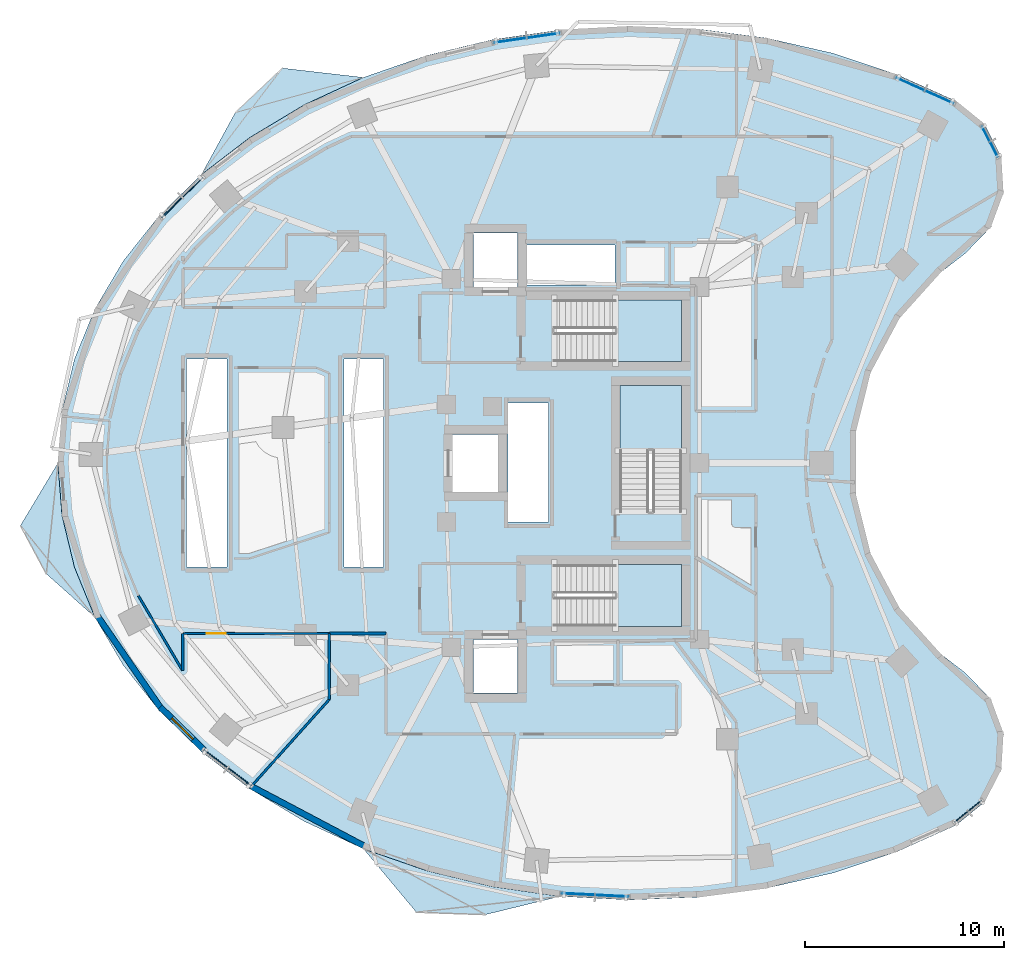
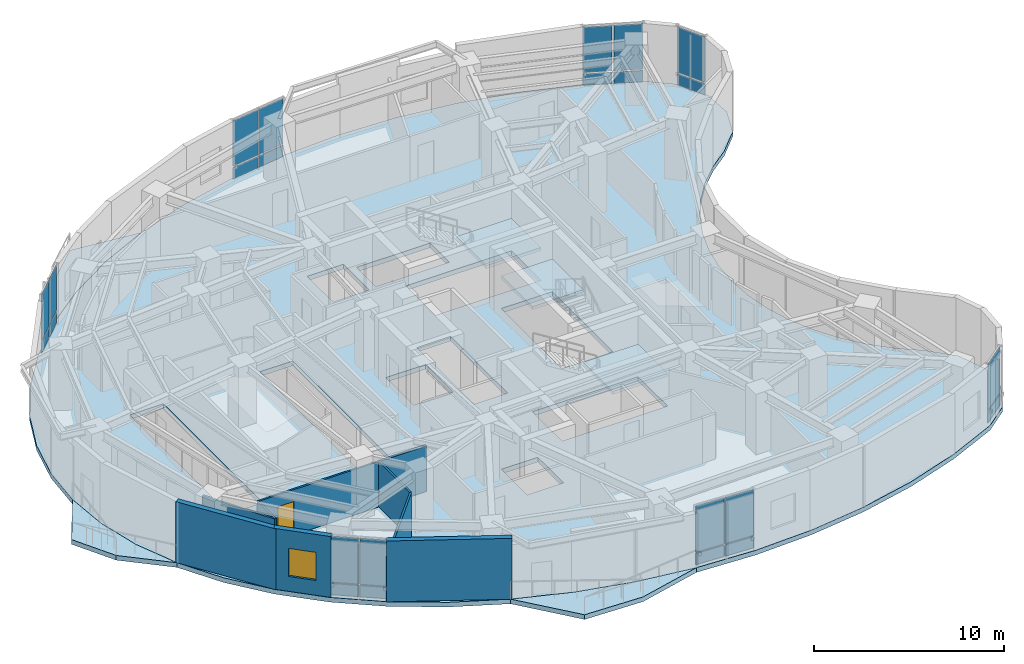
# One storey, part 6 of 14: 24 plates, 9 walls, 7 slabs, 1 door, 1 window, 2 openings, 10 elements without a shape of their own.
"""IFC4 building model written with IfcOpenShell, lengths in metres."""

from ifc_helpers import new_model, si_unit, direction, frame, frame_2d, origin, origin_2d, place, context, subcontext, project, spatial, polyline, rectangle, outline, extrude, material, layer, layer_set, type_object, element, fill, aggregate, save


model = new_model("IFC4")

# Units and contexts
model_context = context("Model", 3, precision=1e-05, world=origin(), true_north=direction((0.0, 1.0)))
body_context = subcontext(model_context, "Body", "Model", "MODEL_VIEW")
ifc_project = project(units=[si_unit("LENGTHUNIT", "METRE"), si_unit("AREAUNIT", "SQUARE_METRE"), si_unit("VOLUMEUNIT", "CUBIC_METRE"), si_unit("PLANEANGLEUNIT", "RADIAN"), si_unit("MASSUNIT", "GRAM", prefix="KILO")], contexts=[model_context])

# Site, building, storey
site_placement = place(None, origin())
site = spatial("IfcSite", under=ifc_project, at=site_placement, CompositionType="ELEMENT")
building_placement = place(site_placement, origin())
building = spatial("IfcBuilding", under=site, at=building_placement, Name="Korentha Bioscience Tower", CompositionType="ELEMENT")
storey_placement = place(building_placement, frame((0.0, 0.0, 90.0)))
storey = spatial("IfcBuildingStorey", under=building, at=storey_placement, Name="L20", CompositionType="ELEMENT", Elevation=90.0)

# Curtain wall, plates
ifc_material_1 = material(Name="Thermally Broken Aluminium Frame", Category="aluminium")
ifc_layer_1 = layer(ifc_material_1, 0.219970703125, Name="Thermally Broken Aluminium Frame")
ifc_layer_set_1 = layer_set([ifc_layer_1], Name="Thermally Broken Aluminium Frame (CW-T2)")
curtain_wall_type = type_object("IfcCurtainWallType", Name="Solar-Screened Lab Unitised Curtain Wall CW-T2", PredefinedType="USERDEFINED", material=ifc_layer_set_1)
curtain_wall_1_placement = place(storey_placement, origin())
curtain_wall_1 = element("IfcCurtainWall", 1, at=curtain_wall_1_placement, inside=storey, type_object=curtain_wall_type, Name="L20 Curtain Wall 01", ObjectType="UNITISED", PredefinedType="USERDEFINED")
ifc_material_2 = material(Name="Triple-Glazed Low-E Insulated Glass", Category="glass")
ifc_layer_2 = layer(ifc_material_2, 0.0439453125, Name="Triple-Glazed Low-E Insulated Glass")
ifc_layer_set_2 = layer_set([ifc_layer_2], Name="Triple-Glazed Low-E Insulated Glass (GL-44)")
plate_type = type_object("IfcPlateType", Name="Glazed Panel 44mm", PredefinedType="CURTAIN_PANEL", material=ifc_layer_set_2)
plate_1_placement = place(storey_placement, frame((49.61767578125, 45.385986328125, 0.08984375), z_axis=(0.0, 0.0, 1.0), x_axis=(-0.912686563127, 0.408660295952, 0.0)))
plate_1 = element("IfcPlate", 2, at=plate_1_placement, type_object=plate_type, Name="CW-L20-01 Bay 1 Glazed Panel 1", PredefinedType="CURTAIN_PANEL", context=body_context, shape_type="SweptSolid", body=[
    extrude(rectangle(XDim=1.54541015625, YDim=0.0439453125, at=origin_2d()), origin(), (0.0, 0.0, 1.0), 0.715087890625),
])
plate_2_placement = place(storey_placement, frame((49.61767578125, 45.385986328125, 0.89501953125), z_axis=(0.0, 0.0, 1.0), x_axis=(-0.912686563127, 0.408660295952, 0.0)))
plate_2 = element("IfcPlate", 3, at=plate_2_placement, type_object=plate_type, Name="CW-L20-01 Bay 1 Glazed Panel 2", PredefinedType="CURTAIN_PANEL", context=body_context, shape_type="SweptSolid", body=[
    extrude(rectangle(XDim=1.54541015625, YDim=0.0439453125, at=origin_2d()), origin(), (0.0, 0.0, 1.0), 2.9150390625),
])
plate_3_placement = place(storey_placement, frame((48.125, 46.05419921875, 0.08984375), z_axis=(0.0, 0.0, 1.0), x_axis=(-0.912686563127, 0.408660295952, 0.0)))
plate_3 = element("IfcPlate", 4, at=plate_3_placement, type_object=plate_type, Name="CW-L20-01 Bay 2 Glazed Panel 1", PredefinedType="CURTAIN_PANEL", context=body_context, shape_type="SweptSolid", body=[
    extrude(rectangle(XDim=1.54541015625, YDim=0.0439453125, at=origin_2d()), origin(), (0.0, 0.0, 1.0), 0.715087890625),
])
plate_4_placement = place(storey_placement, frame((48.125, 46.05419921875, 0.89501953125), z_axis=(0.0, 0.0, 1.0), x_axis=(-0.912686563127, 0.408660295952, 0.0)))
plate_4 = element("IfcPlate", 5, at=plate_4_placement, type_object=plate_type, Name="CW-L20-01 Bay 2 Glazed Panel 2", PredefinedType="CURTAIN_PANEL", context=body_context, shape_type="SweptSolid", body=[
    extrude(rectangle(XDim=1.54541015625, YDim=0.0439453125, at=origin_2d()), origin(), (0.0, 0.0, 1.0), 2.9150390625),
])
aggregate(curtain_wall_1, [plate_1, plate_2, plate_3, plate_4])

curtain_wall_2_placement = place(storey_placement, origin())
curtain_wall_2 = element("IfcCurtainWall", 6, at=curtain_wall_2_placement, inside=storey, type_object=curtain_wall_type, Name="L20 Curtain Wall 07", ObjectType="UNITISED", PredefinedType="USERDEFINED")
plate_5_placement = place(storey_placement, frame((29.724853515625, 48.486328125, 0.08984375), z_axis=(0.0, 0.0, 1.0), x_axis=(-0.989738282326, -0.14289203091, 0.0)))
plate_5 = element("IfcPlate", 7, at=plate_5_placement, type_object=plate_type, Name="CW-L20-07 Bay 1 Glazed Panel 1", PredefinedType="CURTAIN_PANEL", context=body_context, shape_type="SweptSolid", body=[
    extrude(rectangle(XDim=1.630615234375, YDim=0.0439453125, at=origin_2d()), origin(), (0.0, 0.0, 1.0), 0.715087890625),
])
plate_6_placement = place(storey_placement, frame((29.724853515625, 48.486328125, 0.89501953125), z_axis=(0.0, 0.0, 1.0), x_axis=(-0.989738282326, -0.14289203091, 0.0)))
plate_6 = element("IfcPlate", 8, at=plate_6_placement, type_object=plate_type, Name="CW-L20-07 Bay 1 Glazed Panel 2", PredefinedType="CURTAIN_PANEL", context=body_context, shape_type="SweptSolid", body=[
    extrude(rectangle(XDim=1.630615234375, YDim=0.0439453125, at=origin_2d()), origin(), (0.0, 0.0, 1.0), 2.9150390625),
])
plate_7_placement = place(storey_placement, frame((28.021728515625, 48.240478515625, 0.08984375), z_axis=(0.0, 0.0, 1.0), x_axis=(-0.989738282326, -0.14289203091, 0.0)))
plate_7 = element("IfcPlate", 9, at=plate_7_placement, type_object=plate_type, Name="CW-L20-07 Bay 2 Glazed Panel 1", PredefinedType="CURTAIN_PANEL", context=body_context, shape_type="SweptSolid", body=[
    extrude(rectangle(XDim=1.630615234375, YDim=0.0439453125, at=origin_2d()), origin(), (0.0, 0.0, 1.0), 0.715087890625),
])
plate_8_placement = place(storey_placement, frame((28.021728515625, 48.240478515625, 0.89501953125), z_axis=(0.0, 0.0, 1.0), x_axis=(-0.989738282326, -0.14289203091, 0.0)))
plate_8 = element("IfcPlate", 10, at=plate_8_placement, type_object=plate_type, Name="CW-L20-07 Bay 2 Glazed Panel 2", PredefinedType="CURTAIN_PANEL", context=body_context, shape_type="SweptSolid", body=[
    extrude(rectangle(XDim=1.630615234375, YDim=0.0439453125, at=origin_2d()), origin(), (0.0, 0.0, 1.0), 2.9150390625),
])
aggregate(curtain_wall_2, [plate_5, plate_6, plate_7, plate_8])

curtain_wall_3_placement = place(storey_placement, origin())
curtain_wall_3 = element("IfcCurtainWall", 11, at=curtain_wall_3_placement, inside=storey, type_object=curtain_wall_type, Name="L20 Curtain Wall 13", ObjectType="UNITISED", PredefinedType="USERDEFINED")
plate_9_placement = place(storey_placement, frame((12.09912109375, 40.858642578125, 0.08984375), z_axis=(0.0, 0.0, 1.0), x_axis=(-0.716095631804, -0.698002182025, 0.0)))
plate_9 = element("IfcPlate", 12, at=plate_9_placement, type_object=plate_type, Name="CW-L20-13 Bay 1 Glazed Panel 1", PredefinedType="CURTAIN_PANEL", context=body_context, shape_type="SweptSolid", body=[
    extrude(rectangle(XDim=1.39599609375, YDim=0.0439453125, at=origin_2d()), origin(), (0.0, 0.0, 1.0), 0.715087890625),
])
plate_10_placement = place(storey_placement, frame((12.09912109375, 40.858642578125, 0.89501953125), z_axis=(0.0, 0.0, 1.0), x_axis=(-0.716095631804, -0.698002182025, 0.0)))
plate_10 = element("IfcPlate", 13, at=plate_10_placement, type_object=plate_type, Name="CW-L20-13 Bay 1 Glazed Panel 2", PredefinedType="CURTAIN_PANEL", context=body_context, shape_type="SweptSolid", body=[
    extrude(rectangle(XDim=1.39599609375, YDim=0.0439453125, at=origin_2d()), origin(), (0.0, 0.0, 1.0), 2.9150390625),
])
plate_11_placement = place(storey_placement, frame((11.034912109375, 39.8212890625, 0.08984375), z_axis=(0.0, 0.0, 1.0), x_axis=(-0.716095631804, -0.698002182025, 0.0)))
plate_11 = element("IfcPlate", 14, at=plate_11_placement, type_object=plate_type, Name="CW-L20-13 Bay 2 Glazed Panel 1", PredefinedType="CURTAIN_PANEL", context=body_context, shape_type="SweptSolid", body=[
    extrude(rectangle(XDim=1.39599609375, YDim=0.0439453125, at=origin_2d()), origin(), (0.0, 0.0, 1.0), 0.715087890625),
])
plate_12_placement = place(storey_placement, frame((11.034912109375, 39.8212890625, 0.89501953125), z_axis=(0.0, 0.0, 1.0), x_axis=(-0.716095631804, -0.698002182025, 0.0)))
plate_12 = element("IfcPlate", 15, at=plate_12_placement, type_object=plate_type, Name="CW-L20-13 Bay 2 Glazed Panel 2", PredefinedType="CURTAIN_PANEL", context=body_context, shape_type="SweptSolid", body=[
    extrude(rectangle(XDim=1.39599609375, YDim=0.0439453125, at=origin_2d()), origin(), (0.0, 0.0, 1.0), 2.9150390625),
])
aggregate(curtain_wall_3, [plate_9, plate_10, plate_11, plate_12])

curtain_wall_4_placement = place(storey_placement, origin())
curtain_wall_4 = element("IfcCurtainWall", 16, at=curtain_wall_4_placement, inside=storey, type_object=curtain_wall_type, Name="L20 Curtain Wall 25", ObjectType="UNITISED", PredefinedType="USERDEFINED")
plate_13_placement = place(storey_placement, frame((13.234619140625, 12.162353515625, 0.08984375), z_axis=(0.0, 0.0, 1.0), x_axis=(0.794499603893, -0.607264669986, 0.0)))
plate_13 = element("IfcPlate", 17, at=plate_13_placement, type_object=plate_type, Name="CW-L20-25 Bay 1 Glazed Panel 1", PredefinedType="CURTAIN_PANEL", context=body_context, shape_type="SweptSolid", body=[
    extrude(rectangle(XDim=1.4462890625, YDim=0.0439453125, at=origin_2d()), origin(), (0.0, 0.0, 1.0), 0.715087890625),
])
plate_14_placement = place(storey_placement, frame((13.234619140625, 12.162353515625, 0.89501953125), z_axis=(0.0, 0.0, 1.0), x_axis=(0.794499603893, -0.607264669986, 0.0)))
plate_14 = element("IfcPlate", 18, at=plate_14_placement, type_object=plate_type, Name="CW-L20-25 Bay 1 Glazed Panel 2", PredefinedType="CURTAIN_PANEL", context=body_context, shape_type="SweptSolid", body=[
    extrude(rectangle(XDim=1.4462890625, YDim=0.0439453125, at=origin_2d()), origin(), (0.0, 0.0, 1.0), 2.9150390625),
])
plate_15_placement = place(storey_placement, frame((14.455078125, 11.229248046875, 0.08984375), z_axis=(0.0, 0.0, 1.0), x_axis=(0.794499603893, -0.607264669986, 0.0)))
plate_15 = element("IfcPlate", 19, at=plate_15_placement, type_object=plate_type, Name="CW-L20-25 Bay 2 Glazed Panel 1", PredefinedType="CURTAIN_PANEL", context=body_context, shape_type="SweptSolid", body=[
    extrude(rectangle(XDim=1.4462890625, YDim=0.0439453125, at=origin_2d()), origin(), (0.0, 0.0, 1.0), 0.715087890625),
])
plate_16_placement = place(storey_placement, frame((14.455078125, 11.229248046875, 0.89501953125), z_axis=(0.0, 0.0, 1.0), x_axis=(0.794499603893, -0.607264669986, 0.0)))
plate_16 = element("IfcPlate", 20, at=plate_16_placement, type_object=plate_type, Name="CW-L20-25 Bay 2 Glazed Panel 2", PredefinedType="CURTAIN_PANEL", context=body_context, shape_type="SweptSolid", body=[
    extrude(rectangle(XDim=1.4462890625, YDim=0.0439453125, at=origin_2d()), origin(), (0.0, 0.0, 1.0), 2.9150390625),
])
aggregate(curtain_wall_4, [plate_13, plate_14, plate_15, plate_16])

curtain_wall_5_placement = place(storey_placement, origin())
curtain_wall_5 = element("IfcCurtainWall", 21, at=curtain_wall_5_placement, inside=storey, type_object=curtain_wall_type, Name="L20 Curtain Wall 31", ObjectType="UNITISED", PredefinedType="USERDEFINED")
plate_17_placement = place(storey_placement, frame((31.436279296875, 5.346435546875, 0.08984375), z_axis=(0.0, 0.0, 1.0), x_axis=(0.998673231344, -0.051495407527, 0.0)))
plate_17 = element("IfcPlate", 22, at=plate_17_placement, type_object=plate_type, Name="CW-L20-31 Bay 1 Glazed Panel 1", PredefinedType="CURTAIN_PANEL", context=body_context, shape_type="SweptSolid", body=[
    extrude(rectangle(XDim=1.641845703125, YDim=0.0439453125, at=origin_2d()), origin(), (0.0, 0.0, 1.0), 0.715087890625),
])
plate_18_placement = place(storey_placement, frame((31.436279296875, 5.346435546875, 0.89501953125), z_axis=(0.0, 0.0, 1.0), x_axis=(0.998673231344, -0.051495407527, 0.0)))
plate_18 = element("IfcPlate", 23, at=plate_18_placement, type_object=plate_type, Name="CW-L20-31 Bay 1 Glazed Panel 2", PredefinedType="CURTAIN_PANEL", context=body_context, shape_type="SweptSolid", body=[
    extrude(rectangle(XDim=1.641845703125, YDim=0.0439453125, at=origin_2d()), origin(), (0.0, 0.0, 1.0), 2.9150390625),
])
plate_19_placement = place(storey_placement, frame((33.166015625, 5.25732421875, 0.08984375), z_axis=(0.0, 0.0, 1.0), x_axis=(0.998673231344, -0.051495407527, 0.0)))
plate_19 = element("IfcPlate", 24, at=plate_19_placement, type_object=plate_type, Name="CW-L20-31 Bay 2 Glazed Panel 1", PredefinedType="CURTAIN_PANEL", context=body_context, shape_type="SweptSolid", body=[
    extrude(rectangle(XDim=1.641845703125, YDim=0.0439453125, at=origin_2d()), origin(), (0.0, 0.0, 1.0), 0.715087890625),
])
plate_20_placement = place(storey_placement, frame((33.166015625, 5.25732421875, 0.89501953125), z_axis=(0.0, 0.0, 1.0), x_axis=(0.998673231344, -0.051495407527, 0.0)))
plate_20 = element("IfcPlate", 25, at=plate_20_placement, type_object=plate_type, Name="CW-L20-31 Bay 2 Glazed Panel 2", PredefinedType="CURTAIN_PANEL", context=body_context, shape_type="SweptSolid", body=[
    extrude(rectangle(XDim=1.641845703125, YDim=0.0439453125, at=origin_2d()), origin(), (0.0, 0.0, 1.0), 2.9150390625),
])
aggregate(curtain_wall_5, [plate_17, plate_18, plate_19, plate_20])

curtain_wall_6_placement = place(storey_placement, origin())
curtain_wall_6 = element("IfcCurtainWall", 26, at=curtain_wall_6_placement, inside=storey, type_object=curtain_wall_type, Name="L20 Curtain Wall 37", ObjectType="UNITISED", PredefinedType="USERDEFINED")
plate_21_placement = place(storey_placement, frame((51.04736328125, 9.506591796875, 0.08984375), z_axis=(0.0, 0.0, 1.0), x_axis=(0.777315301098, 0.629111216463, 0.0)))
plate_21 = element("IfcPlate", 27, at=plate_21_placement, type_object=plate_type, Name="CW-L20-37 Bay 1 Glazed Panel 1", PredefinedType="CURTAIN_PANEL", context=body_context, shape_type="SweptSolid", body=[
    extrude(rectangle(XDim=1.737548828125, YDim=0.0439453125, at=origin_2d()), origin(), (0.0, 0.0, 1.0), 0.715087890625),
])
plate_22_placement = place(storey_placement, frame((51.04736328125, 9.506591796875, 0.89501953125), z_axis=(0.0, 0.0, 1.0), x_axis=(0.777315301098, 0.629111216463, 0.0)))
plate_22 = element("IfcPlate", 28, at=plate_22_placement, type_object=plate_type, Name="CW-L20-37 Bay 1 Glazed Panel 2", PredefinedType="CURTAIN_PANEL", context=body_context, shape_type="SweptSolid", body=[
    extrude(rectangle(XDim=1.737548828125, YDim=0.0439453125, at=origin_2d()), origin(), (0.0, 0.0, 1.0), 2.9150390625),
])
aggregate(curtain_wall_6, [plate_21, plate_22])

curtain_wall_7_placement = place(storey_placement, origin())
curtain_wall_7 = element("IfcCurtainWall", 29, at=curtain_wall_7_placement, inside=storey, type_object=curtain_wall_type, Name="L20 Curtain Wall 61", ObjectType="UNITISED", PredefinedType="USERDEFINED")
plate_23_placement = place(storey_placement, frame((52.140380859375, 43.149658203125, 0.08984375), z_axis=(0.0, 0.0, 1.0), x_axis=(-0.457613117169, 0.889151412862, 0.0)))
plate_23 = element("IfcPlate", 30, at=plate_23_placement, type_object=plate_type, Name="CW-L20-61 Bay 1 Glazed Panel 1", PredefinedType="CURTAIN_PANEL", context=body_context, shape_type="SweptSolid", body=[
    extrude(rectangle(XDim=1.737548828125, YDim=0.0439453125, at=origin_2d()), origin(), (0.0, 0.0, 1.0), 0.715087890625),
])
plate_24_placement = place(storey_placement, frame((52.140380859375, 43.149658203125, 0.89501953125), z_axis=(0.0, 0.0, 1.0), x_axis=(-0.457613117169, 0.889151412862, 0.0)))
plate_24 = element("IfcPlate", 31, at=plate_24_placement, type_object=plate_type, Name="CW-L20-61 Bay 1 Glazed Panel 2", PredefinedType="CURTAIN_PANEL", context=body_context, shape_type="SweptSolid", body=[
    extrude(rectangle(XDim=1.737548828125, YDim=0.0439453125, at=origin_2d()), origin(), (0.0, 0.0, 1.0), 2.9150390625),
])
aggregate(curtain_wall_7, [plate_23, plate_24])

# Slab
ifc_material_3 = material(Name="Concrete C50", Category="concrete")
ifc_layer_3 = layer(ifc_material_3, 0.300048828125, Name="Concrete C50")
ifc_layer_set_3 = layer_set([ifc_layer_3], Name="Concrete C50 (SL-L300)")
slab_type_1 = type_object("IfcSlabType", Name="Laboratory Vibration-Controlled Slab 300", PredefinedType="FLOOR", material=ifc_layer_set_3)
slab_1_placement = place(storey_placement, frame((0.0, 0.0, -0.300048828125)))
element("IfcSlab", 32, at=slab_1_placement, inside=storey, type_object=slab_type_1, Name="L20 Tower Structural Floor Slab", PredefinedType="FLOOR", context=body_context, shape_type="SweptSolid", body=[
    extrude(outline(polyline([(50.433837890625, 45.19580078125), (47.439697265625, 46.53662109375), (44.2548828125, 47.59521484375), (40.925537109375, 48.3564453125), (37.5, 48.809326171875), (34.027587890625, 48.947265625), (30.558349609375, 48.7685546875), (27.142333984375, 48.275390625), (23.8291015625, 47.474853515625), (20.66650390625, 46.37890625), (17.69970703125, 45.003173828125), (14.972412109375, 43.367431640625), (12.52294921875, 41.495361328125), (10.3876953125, 39.413818359375), (8.5966796875, 37.1533203125), (7.17626953125, 34.74609375), (6.146484375, 32.22705078125), (5.52294921875, 29.632568359375), (5.31396484375, 27.0), (5.52294921875, 24.367431640625), (6.146484375, 21.77294921875), (7.17626953125, 19.25390625), (8.5966796875, 16.8466796875), (10.3876953125, 14.586181640625), (12.52294921875, 12.504638671875), (14.972412109375, 10.632568359375), (17.69970703125, 8.996826171875), (20.66650390625, 7.62109375), (23.8291015625, 6.525146484375), (27.142333984375, 5.724609375), (30.558349609375, 5.2314453125), (34.027587890625, 5.052734375), (37.5, 5.190673828125), (40.925537109375, 5.6435546875), (44.2548828125, 6.40478515625), (47.439697265625, 7.46337890625), (50.433837890625, 8.80419921875), (51.8623046875, 9.960205078125), (52.703125, 11.593994140625), (52.813720703125, 13.42822265625), (52.175537109375, 15.1513671875), (50.896484375, 16.470703125), (49.666259765625, 17.414794921875), (48.560302734375, 18.501708984375), (47.594970703125, 19.715087890625), (46.78466796875, 21.037353515625), (46.1416015625, 22.448486328125), (45.67529296875, 23.927490234375), (45.392578125, 25.4521484375), (45.298095703125, 27.0), (45.392578125, 28.5478515625), (45.67529296875, 30.072509765625), (46.1416015625, 31.551513671875), (46.78466796875, 32.962646484375), (47.594970703125, 34.284912109375), (48.560302734375, 35.498291015625), (49.666259765625, 36.585205078125), (50.896484375, 37.529296875), (52.175537109375, 38.8486328125), (52.813720703125, 40.57177734375), (52.703125, 42.406005859375), (51.8623046875, 44.039794921875), (50.433837890625, 45.19580078125)]), holes=[polyline([(30.25, 32.10009765625), (36.64990234375, 32.10009765625), (36.64990234375, 35.199951171875), (30.25, 35.199951171875), (30.25, 32.10009765625)]), polyline([(30.25, 18.800048828125), (36.64990234375, 18.800048828125), (36.64990234375, 21.89990234375), (30.25, 21.89990234375), (30.25, 18.800048828125)]), polyline([(36.64990234375, 24.550048828125), (36.64990234375, 30.89990234375), (33.550048828125, 30.89990234375), (33.550048828125, 24.550048828125), (36.64990234375, 24.550048828125)]), polyline([(11.780029296875, 21.780029296875), (13.820068359375, 21.780029296875), (13.820068359375, 32.219970703125), (11.780029296875, 32.219970703125), (11.780029296875, 21.780029296875)]), polyline([(19.679931640625, 21.780029296875), (21.669921875, 21.780029296875), (21.669921875, 32.219970703125), (19.679931640625, 32.219970703125), (19.679931640625, 21.780029296875)]), polyline([(27.929931640625, 24.030029296875), (29.969970703125, 24.030029296875), (29.969970703125, 30.02001953125), (27.929931640625, 30.02001953125), (27.929931640625, 24.030029296875)]), polyline([(28.860107421875, 35.93994140625), (33.31005859375, 35.93994140625), (33.31005859375, 37.9599609375), (28.860107421875, 37.9599609375), (28.860107421875, 35.93994140625)]), polyline([(26.199951171875, 15.449951171875), (28.39990234375, 15.449951171875), (28.39990234375, 18.14990234375), (26.199951171875, 18.14990234375), (26.199951171875, 15.449951171875)]), polyline([(26.199951171875, 35.85009765625), (28.39990234375, 35.85009765625), (28.39990234375, 38.550048828125), (26.199951171875, 38.550048828125), (26.199951171875, 35.85009765625)]), polyline([(25.14990234375, 25.550048828125), (27.550048828125, 25.550048828125), (27.550048828125, 28.449951171875), (25.14990234375, 28.449951171875), (25.14990234375, 25.550048828125)])]), origin(), (0.0, 0.0, 1.0), 0.300048828125),
])

# Stair, slab
ifc_material_4 = material(Name="Precast Concrete C50", Category="concrete")
stair_type = type_object("IfcStairType", Name="Core Exit Dog-Leg Stair 1450", PredefinedType="HALF_TURN_STAIR", material=ifc_material_4)
stair_1_placement = place(storey_placement, origin())
stair_1 = element("IfcStair", 33, at=stair_1_placement, inside=storey, type_object=stair_type, Name="L20 Tower North Pressurized Exit Stair ST-1", PredefinedType="HALF_TURN_STAIR")
ifc_layer_4 = layer(ifc_material_3, 0.199951171875, Name="Concrete C50")
ifc_layer_set_4 = layer_set([ifc_layer_4], Name="Concrete C50 (SL-LND)")
slab_type_2 = type_object("IfcSlabType", Name="Landing Slab 200", PredefinedType="LANDING", material=ifc_layer_set_4)
slab_2_placement = place(storey_placement, frame((0.0, 0.0, 1.89990234375)))
slab_2 = element("IfcSlab", 34, at=slab_2_placement, type_object=slab_type_2, Name="ST-1 landing 1", PredefinedType="LANDING", context=body_context, shape_type="SweptSolid", body=[
    extrude(outline(polyline([(33.330078125, 32.10009765625), (36.64990234375, 32.10009765625), (36.64990234375, 35.199951171875), (33.330078125, 35.199951171875), (33.330078125, 32.10009765625)])), origin(), (0.0, 0.0, 1.0), 0.2001953125),
])
aggregate(stair_1, [slab_2])

stair_2_placement = place(storey_placement, origin())
stair_2 = element("IfcStair", 35, at=stair_2_placement, inside=storey, type_object=stair_type, Name="L20 Tower South Pressurized Exit Stair ST-2", PredefinedType="HALF_TURN_STAIR")
slab_3_placement = place(storey_placement, frame((0.0, 0.0, 1.89990234375)))
slab_3 = element("IfcSlab", 36, at=slab_3_placement, type_object=slab_type_2, Name="ST-2 landing 1", PredefinedType="LANDING", context=body_context, shape_type="SweptSolid", body=[
    extrude(outline(polyline([(33.330078125, 18.800048828125), (36.64990234375, 18.800048828125), (36.64990234375, 21.89990234375), (33.330078125, 21.89990234375), (33.330078125, 18.800048828125)])), origin(), (0.0, 0.0, 1.0), 0.2001953125),
])
aggregate(stair_2, [slab_3])

stair_3_placement = place(storey_placement, origin())
stair_3 = element("IfcStair", 37, at=stair_3_placement, inside=storey, type_object=stair_type, Name="L20 Tower Central Pressurized Exit Stair ST-3", PredefinedType="HALF_TURN_STAIR")
slab_4_placement = place(storey_placement, frame((0.0, 0.0, 1.89990234375)))
slab_4 = element("IfcSlab", 38, at=slab_4_placement, type_object=slab_type_2, Name="ST-3 landing 1", PredefinedType="LANDING", context=body_context, shape_type="SweptSolid", body=[
    extrude(outline(polyline([(36.64990234375, 27.6298828125), (36.64990234375, 30.89990234375), (33.550048828125, 30.89990234375), (33.550048828125, 27.6298828125), (36.64990234375, 27.6298828125)])), origin(), (0.0, 0.0, 1.0), 0.2001953125),
])
aggregate(stair_3, [slab_4])

# Slabs
ifc_layer_5 = layer(ifc_material_3, 0.300048828125, Name="Concrete C50")
ifc_layer_set_5 = layer_set([ifc_layer_5], Name="Concrete C50 (BS-240)")
slab_type_3 = type_object("IfcSlabType", Name="Sawtooth Sun-Ledge Balcony Slab 240", PredefinedType="USERDEFINED", material=ifc_layer_set_5)
slab_5_placement = place(storey_placement, frame((0.0, 0.0, -0.300048828125)))
element("IfcSlab", 39, at=slab_5_placement, inside=storey, type_object=slab_type_3, Name="L20 Sun-Ledge Balcony 01", ObjectType="BALCONY", PredefinedType="USERDEFINED", context=body_context, shape_type="SweptSolid", body=[
    extrude(outline(polyline([(12.52294921875, 41.495361328125), (14.972412109375, 43.367431640625), (17.69970703125, 45.003173828125), (20.66650390625, 46.37890625), (16.593994140625, 46.846923828125), (14.2265625, 44.61083984375), (12.52294921875, 41.495361328125)])), origin(), (0.0, 0.0, 1.0), 0.300048828125),
])
slab_6_placement = place(storey_placement, frame((0.0, 0.0, -0.300048828125)))
element("IfcSlab", 40, at=slab_6_placement, inside=storey, type_object=slab_type_3, Name="L20 Sun-Ledge Balcony 02", ObjectType="BALCONY", PredefinedType="USERDEFINED", context=body_context, shape_type="SweptSolid", body=[
    extrude(outline(polyline([(7.17626953125, 19.25390625), (6.146484375, 21.77294921875), (5.52294921875, 24.367431640625), (5.31396484375, 27.0), (3.4326171875, 23.864990234375), (4.73681640625, 21.43408203125), (7.17626953125, 19.25390625)])), origin(), (0.0, 0.0, 1.0), 0.300048828125),
])
slab_7_placement = place(storey_placement, frame((0.0, 0.0, -0.300048828125)))
element("IfcSlab", 41, at=slab_7_placement, inside=storey, type_object=slab_type_3, Name="L20 Sun-Ledge Balcony 03", ObjectType="BALCONY", PredefinedType="USERDEFINED", context=body_context, shape_type="SweptSolid", body=[
    extrude(outline(polyline([(30.558349609375, 5.2314453125), (27.142333984375, 5.724609375), (23.8291015625, 6.525146484375), (20.66650390625, 7.62109375), (23.32421875, 4.435302734375), (26.802001953125, 4.315185546875), (30.558349609375, 5.2314453125)])), origin(), (0.0, 0.0, 1.0), 0.300048828125),
])

# Wall
ifc_material_5 = material(Name="Double-Stud Acoustic Gypsum", Category="gypsum")
ifc_layer_6 = layer(ifc_material_5, 0.14990234375, Name="Double-Stud Acoustic Gypsum")
ifc_layer_set_6 = layer_set([ifc_layer_6], Name="Double-Stud Acoustic Gypsum (IW-L150)")
wall_type_1 = type_object("IfcWallType", Name="Acoustic Laboratory Partition Wall 150", PredefinedType="PARTITIONING", material=ifc_layer_set_6)
wall_1_placement = place(storey_placement, frame((18.9580078125, 18.43994140625, 0.0), z_axis=(0.0, 0.0, 1.0), x_axis=(1.0, 0.0, 0.0)))
element("IfcWall", 42, at=wall_1_placement, inside=storey, type_object=wall_type_1, Name="L20 Interior Partition 029", PredefinedType="PARTITIONING", context=body_context, shape_type="SweptSolid", body=[
    extrude(rectangle(XDim=2.83203125, YDim=0.14990234375, at=frame_2d((1.416015625, 0.0))), origin(), (0.0, 0.0, 1.0), 2.909912109375),
])

# Wall, opening, door
ifc_material_6 = material(Name="Fire-Rated Framed Glass", Category="glass")
ifc_layer_7 = layer(ifc_material_6, 0.110107421875, Name="Fire-Rated Framed Glass")
ifc_layer_set_7 = layer_set([ifc_layer_7], Name="Fire-Rated Framed Glass (IW-G110)")
wall_type_2 = type_object("IfcWallType", Name="Demountable Glazed Office Partition 110", PredefinedType="MOVABLE", material=ifc_layer_set_7)
wall_2_placement = place(storey_placement, frame((11.590087890625, 18.43994140625, 0.0), z_axis=(0.0, 0.0, 1.0), x_axis=(1.0, 0.0, 0.0)))
wall_2 = element("IfcWall", 43, at=wall_2_placement, inside=storey, type_object=wall_type_2, Name="L20 Principal Investigator Office 01 Entrance Wall", PredefinedType="MOVABLE", context=body_context, shape_type="SweptSolid", body=[
    extrude(rectangle(XDim=7.35791015625, YDim=0.110107421875, at=frame_2d((3.678955078125, 0.0))), origin(), (0.0, 0.0, 1.0), 2.909912109375),
])
opening_1_placement = place(wall_2_placement, frame((1.206298828125, 0.0, 0.0)))
opening_1 = element("IfcOpeningElement", 44, at=opening_1_placement, cuts=wall_2, Name="Opening ID-10L", PredefinedType="OPENING", context=body_context, shape_type="SweptSolid", body=[
    extrude(rectangle(XDim=0.949951171875, YDim=2.14990234375, at=frame_2d((0.47509765625, 1.074951171875))), frame((0.0, 0.06982421875, 0.0), z_axis=(0.0, -1.0, 0.0), x_axis=(1.0, 0.0, 0.0)), (0.0, 0.0, 1.0), 0.139892578125),
])
ifc_material_7 = material(Name="Phenolic Laminate Timber Core", Category="wood")
door_type = type_object("IfcDoorType", Name="Laboratory Single Leaf Door 950x2150 Left", OperationType="SINGLE_SWING_LEFT", PredefinedType="DOOR", material=ifc_material_7)
door_placement = place(opening_1_placement, origin())
door = element("IfcDoor", 45, at=door_placement, inside=storey, type_object=door_type, Name="L20 Principal Investigator Office 01 Door", OperationType="SINGLE_SWING_LEFT", OverallHeight=2.14990234375, OverallWidth=0.949951171875, PredefinedType="DOOR", context=body_context, shape_type="SweptSolid", body=[
    extrude(rectangle(XDim=0.949951171875, YDim=2.14990234375, at=frame_2d((0.47509765625, 1.074951171875))), frame((0.0, 0.02490234375, 0.0), z_axis=(0.0, -1.0, 0.0), x_axis=(1.0, 0.0, 0.0)), (0.0, 0.0, 1.0), 0.050048828125),
])
fill(opening_1, door)

# Walls
wall_3_placement = place(storey_placement, frame((9.359130859375, 20.336181640625, 0.0), z_axis=(0.0, 0.0, 1.0), x_axis=(0.508164254342, -0.86126017591, 0.0)))
element("IfcWall", 46, at=wall_3_placement, inside=storey, type_object=wall_type_2, Name="L20 Interior Partition 025", PredefinedType="MOVABLE", context=body_context, shape_type="SweptSolid", body=[
    extrude(rectangle(XDim=4.353271484375, YDim=0.110107421875, at=frame_2d((2.1767578125, 0.0))), origin(), (0.0, 0.0, 1.0), 2.909912109375),
])
wall_4_placement = place(storey_placement, frame((11.590087890625, 16.592041015625, 0.0), z_axis=(0.0, 0.0, 1.0), x_axis=(0.0, 1.0, 0.0)))
element("IfcWall", 47, at=wall_4_placement, inside=storey, type_object=wall_type_2, Name="L20 Interior Partition 026", PredefinedType="MOVABLE", context=body_context, shape_type="SweptSolid", body=[
    extrude(rectangle(XDim=1.847900390625, YDim=0.110107421875, at=frame_2d((0.923828125, 0.0))), origin(), (0.0, 0.0, 1.0), 2.909912109375),
])
wall_5_placement = place(storey_placement, frame((18.947998046875, 18.43994140625, 0.0), z_axis=(0.0, 0.0, 1.0), x_axis=(0.0, -1.0, 0.0)))
element("IfcWall", 48, at=wall_5_placement, inside=storey, type_object=wall_type_2, Name="L20 Interior Partition 027", PredefinedType="MOVABLE", context=body_context, shape_type="SweptSolid", body=[
    extrude(rectangle(XDim=3.317138671875, YDim=0.110107421875, at=frame_2d((1.65869140625, 0.0))), origin(), (0.0, 0.0, 1.0), 2.909912109375),
])
wall_6_placement = place(storey_placement, frame((18.947998046875, 15.12255859375, 0.0), z_axis=(0.0, 0.0, 1.0), x_axis=(-0.667833771006, -0.744310455592, 0.0)))
element("IfcWall", 49, at=wall_6_placement, inside=storey, type_object=wall_type_2, Name="L20 Interior Partition 028", PredefinedType="MOVABLE", context=body_context, shape_type="SweptSolid", body=[
    extrude(rectangle(XDim=5.979248046875, YDim=0.110107421875, at=frame_2d((2.98974609375, 0.0))), origin(), (0.0, 0.0, 1.0), 2.909912109375),
])

# Wall, opening, window
ifc_material_8 = material(Name="Honed Limestone Precast Concrete C40", Category="masonry")
ifc_layer_8 = layer(ifc_material_8, 0.300048828125, Name="Honed Limestone Precast Concrete C40")
ifc_layer_set_8 = layer_set([ifc_layer_8], Name="Honed Limestone Precast Concrete C40 (EW-ST300)")
wall_type_3 = type_object("IfcWallType", Name="Honed Limestone Cavity Spandrel Wall 300", PredefinedType="STANDARD", material=ifc_layer_set_8)
wall_7_placement = place(storey_placement, frame((10.456298828125, 14.74267578125, 0.0), z_axis=(0.0, 0.0, 1.0), x_axis=(0.716099460419, -0.697998254144, 0.0)))
wall_7 = element("IfcWall", 50, at=wall_7_placement, inside=storey, type_object=wall_type_3, Name="L20 Honed Limestone Spandrel Wall 24", PredefinedType="STANDARD", context=body_context, shape_type="SweptSolid", body=[
    extrude(rectangle(XDim=3.10205078125, YDim=0.300048828125, at=frame_2d((1.551025390625, 0.0))), origin(), (0.0, 0.0, 1.0), 3.89990234375),
])
opening_2_placement = place(wall_7_placement, frame((0.801025390625, 0.0, 0.949951171875)))
opening_2 = element("IfcOpeningElement", 51, at=opening_2_placement, cuts=wall_7, Name="Opening WN-02", PredefinedType="OPENING", context=body_context, shape_type="SweptSolid", body=[
    extrude(rectangle(XDim=1.5, YDim=1.800048828125, at=frame_2d((0.75, 0.89990234375))), frame((0.0, 0.1650390625, 0.0), z_axis=(0.0, -1.0, 0.0), x_axis=(1.0, 0.0, 0.0)), (0.0, 0.0, 1.0), 0.329833984375),
])
ifc_material_9 = material(Name="Thermally Broken Aluminium Triple Glazing", Category="aluminium")
window_type = type_object("IfcWindowType", Name="Acoustic Operable Office Window 1500x1800", PartitioningType="DOUBLE_PANEL_VERTICAL", PredefinedType="WINDOW", material=ifc_material_9)
window_placement = place(opening_2_placement, origin())
window = element("IfcWindow", 52, at=window_placement, inside=storey, type_object=window_type, Name="L20 Facade Window 24", OverallHeight=1.800048828125, OverallWidth=1.5, PartitioningType="DOUBLE_PANEL_VERTICAL", PredefinedType="WINDOW", context=body_context, shape_type="SweptSolid", body=[
    extrude(rectangle(XDim=1.5, YDim=1.800048828125, at=frame_2d((0.75, 0.89990234375))), frame((0.0, 0.030029296875, 0.0), z_axis=(0.0, -1.0, 0.0), x_axis=(1.0, 0.0, 0.0)), (0.0, 0.0, 1.0), 0.06005859375),
])
fill(opening_2, window)

# Walls
wall_8_placement = place(storey_placement, frame((7.24609375, 19.399169921875, 0.0), z_axis=(0.0, 0.0, 1.0), x_axis=(0.566825798999, -0.823837674296, 0.0)))
element("IfcWall", 53, at=wall_8_placement, inside=storey, type_object=wall_type_3, Name="L20 Limestone Perimeter Closure Wall 22", PredefinedType="STANDARD", context=body_context, shape_type="SweptSolid", body=[
    extrude(rectangle(XDim=5.825927734375, YDim=0.300048828125, at=frame_2d((2.9130859375, 0.0))), origin(), (0.0, 0.0, 1.0), 3.89990234375),
])
wall_9_placement = place(storey_placement, frame((14.967041015625, 10.793701171875, 0.0), z_axis=(0.0, 0.0, 1.0), x_axis=(0.883986649445, -0.467512142734, 0.0)))
element("IfcWall", 54, at=wall_9_placement, inside=storey, type_object=wall_type_3, Name="L20 Limestone Perimeter Closure Wall 26", PredefinedType="STANDARD", context=body_context, shape_type="SweptSolid", body=[
    extrude(rectangle(XDim=6.601318359375, YDim=0.300048828125, at=frame_2d((3.30078125, 0.0))), origin(), (0.0, 0.0, 1.0), 3.89990234375),
])

save(model, "model.ifc")
